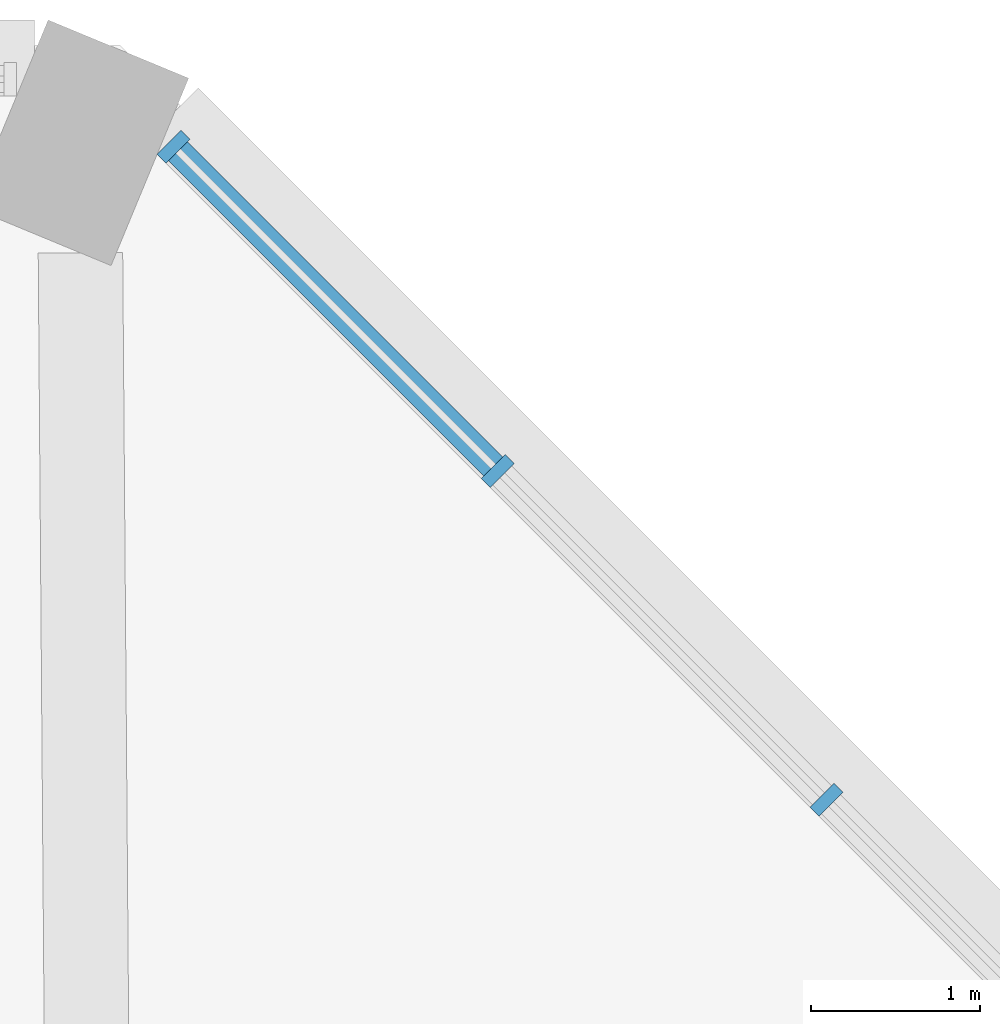
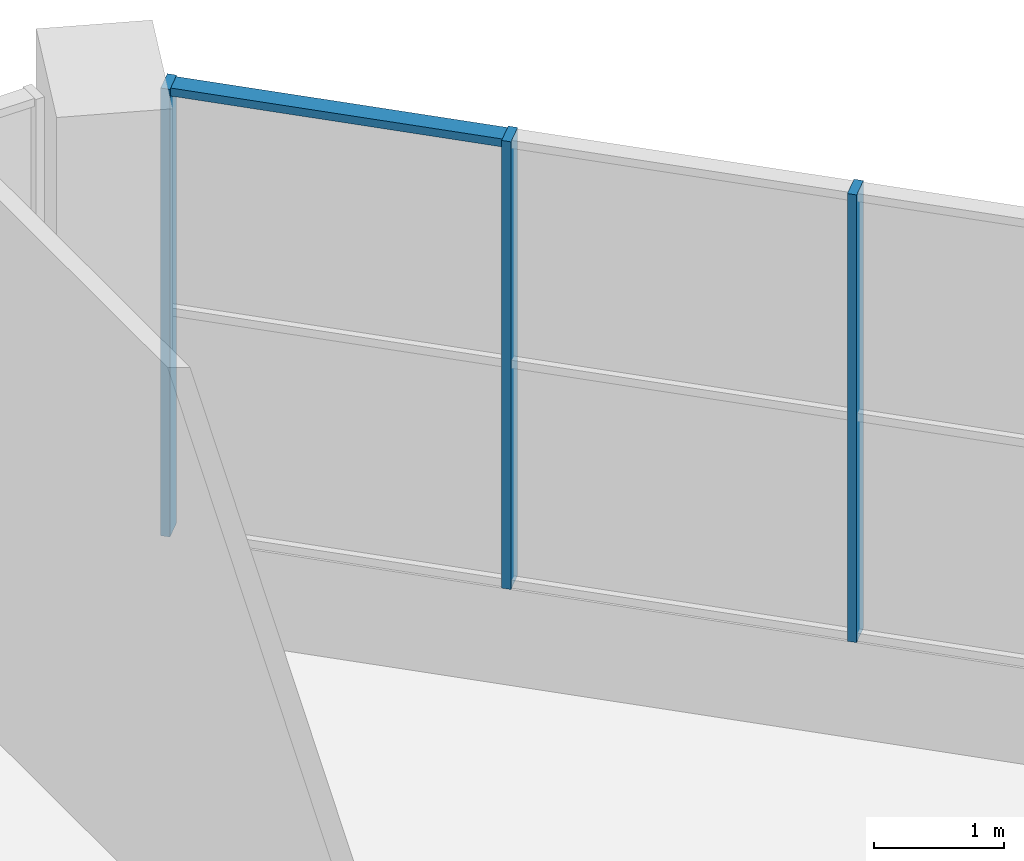
# One storey, part 8 of 16: 4 members, 1 element without a shape of its own.
"""IFC4 building model written with IfcOpenShell, lengths in metres."""

from ifc_helpers import new_model, si_unit, direction, frame, origin, origin_2d, place, context, subcontext, project, spatial, rectangle, extrude, material, material_profile, profile_set, type_object, element, aggregate, save


model = new_model("IFC4")

# Units and contexts
model_context = context("Model", 3, precision=1e-05, world=origin(), true_north=direction((0.0, 1.0)))
body_context = subcontext(model_context, "Body", "Model", "MODEL_VIEW")
ifc_project = project(units=[si_unit("LENGTHUNIT", "METRE"), si_unit("AREAUNIT", "SQUARE_METRE"), si_unit("VOLUMEUNIT", "CUBIC_METRE"), si_unit("PLANEANGLEUNIT", "RADIAN"), si_unit("MASSUNIT", "GRAM", prefix="KILO")], contexts=[model_context])

# Site, building, storey
site_placement = place(None, origin())
site = spatial("IfcSite", under=ifc_project, at=site_placement, CompositionType="ELEMENT")
building_placement = place(site_placement, origin())
building = spatial("IfcBuilding", under=site, at=building_placement, Name="Msitu Wima Residences", CompositionType="ELEMENT")
storey_placement = place(building_placement, frame((0.0, 0.0, 156.89990234375)))
storey = spatial("IfcBuildingStorey", under=building, at=storey_placement, Name="L36", CompositionType="ELEMENT", Elevation=156.89990234375)

# Curtain wall, members
ifc_material_1 = material(Name="Anodised aluminium, bronze finish, solar control laminated double glazing", Category="aluminium")
curtain_wall_type = type_object("IfcCurtainWallType", Name="Curtain wall CW2 sky amenity wall", PredefinedType="NOTDEFINED", material=ifc_material_1)
curtain_wall_placement = place(storey_placement, origin())
curtain_wall = element("IfcCurtainWall", 1, at=curtain_wall_placement, inside=storey, type_object=curtain_wall_type, Name="Curtain wall CW2 L36 NE1", PredefinedType="NOTDEFINED")
ifc_material_2 = material(Name="Anodised aluminium, bronze finish", Category="aluminium")
ifc_material_profile_1 = material_profile(ifc_material_2, rectangle(XDim=0.199951171875, YDim=0.074951171875, at=origin_2d()), Name="Mullion 75x200")
ifc_profile_set_1 = profile_set([ifc_material_profile_1], Name="Anodised aluminium, bronze finish")
member_type_1 = type_object("IfcMemberType", Name="Mullion CW2 75x200", PredefinedType="MULLION", material=ifc_profile_set_1)
member_1_placement = place(storey_placement, frame((17.710693359375, 22.236572265625, 0.900146484375), z_axis=(0.0, 0.0, 1.0), x_axis=(-0.707106781187, -0.707106781187, 0.0)))
member_1 = element("IfcMember", 2, at=member_1_placement, type_object=member_type_1, Name="CW2 mullion 2", PredefinedType="MULLION", context=body_context, shape_type="SweptSolid", body=[
    extrude(rectangle(XDim=0.199951171875, YDim=0.074951171875, at=origin_2d()), origin(), (0.0, 0.0, 1.0), 4.199951171875),
])
member_2_placement = place(storey_placement, frame((15.765869140625, 24.181396484375, 0.900146484375), z_axis=(0.0, 0.0, 1.0), x_axis=(-0.707106781187, -0.707106781187, 0.0)))
member_2 = element("IfcMember", 3, at=member_2_placement, type_object=member_type_1, Name="CW2 mullion 3", PredefinedType="MULLION", context=body_context, shape_type="SweptSolid", body=[
    extrude(rectangle(XDim=0.199951171875, YDim=0.074951171875, at=origin_2d()), origin(), (0.0, 0.0, 1.0), 4.199951171875),
])
member_3_placement = place(storey_placement, frame((13.847412109375, 26.099853515625, 0.900146484375), z_axis=(0.0, 0.0, 1.0), x_axis=(-0.707106781187, -0.707106781187, 0.0)))
member_3 = element("IfcMember", 4, at=member_3_placement, type_object=member_type_1, Name="CW2 mullion 4", PredefinedType="MULLION", context=body_context, shape_type="SweptSolid", body=[
    extrude(rectangle(XDim=0.199951171875, YDim=0.074951171875, at=origin_2d()), origin(), (0.0, 0.0, 1.0), 4.199951171875),
])
ifc_material_profile_2 = material_profile(ifc_material_2, rectangle(XDim=0.159912109375, YDim=0.074951171875, at=origin_2d()), Name="Transom 75x160")
ifc_profile_set_2 = profile_set([ifc_material_profile_2], Name="Anodised aluminium, bronze finish")
member_type_2 = type_object("IfcMemberType", Name="Transom CW2 75x160", PredefinedType="USERDEFINED", material=ifc_profile_set_2)
member_4_placement = place(storey_placement, frame((15.7392578125, 24.2080078125, 5.0625), z_axis=(-0.707106781187, 0.707106781187, 0.0), x_axis=(-0.707106781187, -0.707106781187, 0.0)))
member_4 = element("IfcMember", 5, at=member_4_placement, type_object=member_type_2, Name="CW2 transom 3.3", ObjectType="TRANSOM", PredefinedType="USERDEFINED", context=body_context, shape_type="SweptSolid", body=[
    extrude(rectangle(XDim=0.159912109375, YDim=0.074951171875, at=origin_2d()), origin(), (0.0, 0.0, 1.0), 2.637939453125),
])
aggregate(curtain_wall, [member_1, member_2, member_3, member_4])

save(model, "model.ifc")
